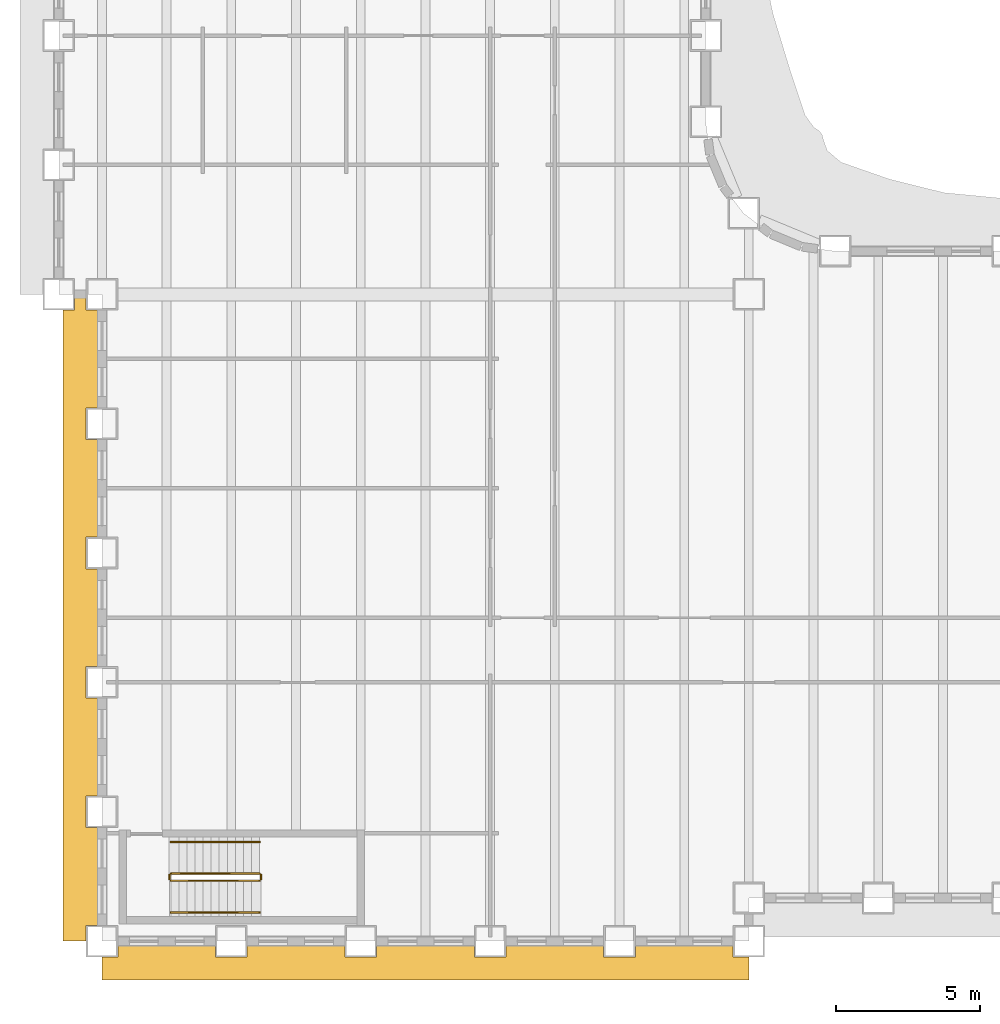
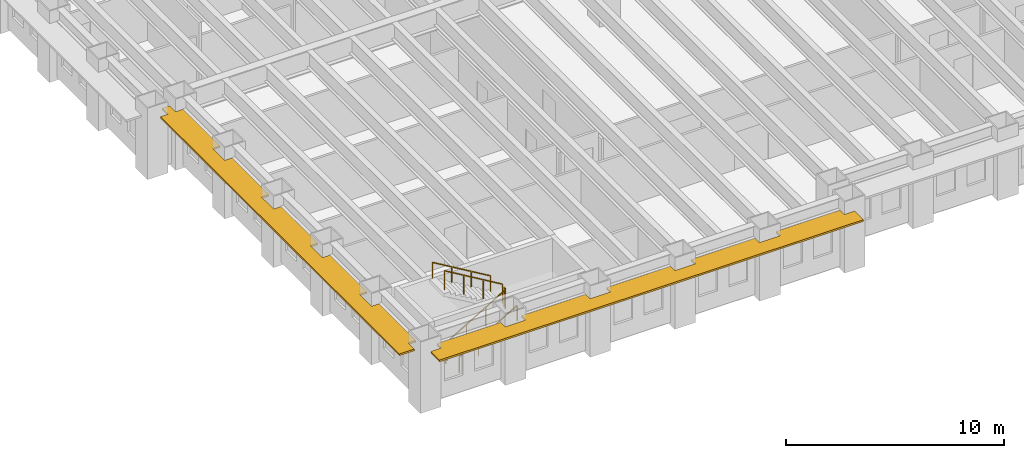
# One storey, part 10 of 15: 6 railings, 2 shading devices.
"""IFC4 building model written with IfcOpenShell, lengths in metres."""

from ifc_helpers import new_model, si_unit, direction, frame, origin, origin_2d, place, context, subcontext, project, spatial, polyline, rectangle, outline, extrude, material, layer, layer_set, type_object, element, save


model = new_model("IFC4")

# Units and contexts
model_context = context("Model", 3, precision=1e-05, world=origin(), true_north=direction((0.0, 1.0)))
body_context = subcontext(model_context, "Body", "Model", "MODEL_VIEW")
ifc_project = project(units=[si_unit("LENGTHUNIT", "METRE"), si_unit("AREAUNIT", "SQUARE_METRE"), si_unit("VOLUMEUNIT", "CUBIC_METRE"), si_unit("PLANEANGLEUNIT", "RADIAN"), si_unit("MASSUNIT", "GRAM", prefix="KILO")], contexts=[model_context])

# Site, building, storey
site_placement = place(None, origin())
site = spatial("IfcSite", under=ifc_project, at=site_placement, CompositionType="ELEMENT")
building_placement = place(site_placement, origin())
building = spatial("IfcBuilding", under=site, at=building_placement, Name="Sennacour Bend Tower", CompositionType="ELEMENT")
storey_placement = place(building_placement, frame((0.0, 0.0, 61.0)))
storey = spatial("IfcBuildingStorey", under=building, at=storey_placement, Name="L13", CompositionType="ELEMENT", Elevation=61.0)

# Railings
ifc_material_1 = material(Name="Stainless steel", Category="steel")
railing_type_1 = type_object("IfcRailingType", Name="RL-GUARD-1100", PredefinedType="GUARDRAIL", material=ifc_material_1)
railing_1_placement = place(storey_placement, frame((2.39990234375, 2.10009765625, 0.166748046875)))
element("IfcRailing", 1, at=railing_1_placement, inside=storey, type_object=railing_type_1, Name="L13 SK1 stair guard 1", PredefinedType="GUARDRAIL", context=body_context, shape_type="SweptSolid", body=[
    extrude(rectangle(XDim=0.048095703125, YDim=0.048095703125, at=origin_2d()), frame((0.0, 0.0, 1.076171875), z_axis=(0.859308565015, 0.0, 0.511457515432), x_axis=(0.0, 1.0, 0.0)), (0.0, 0.0, 1.0), 3.58447265625),
    extrude(rectangle(XDim=0.0419921875, YDim=0.0419921875, at=origin_2d()), origin(), (0.0, 0.0, 1.0), 1.052001953125),
    extrude(rectangle(XDim=0.0419921875, YDim=0.0419921875, at=origin_2d()), frame((1.026611328125, 0.0, 0.611083984375)), (0.0, 0.0, 1.0), 1.052001953125),
    extrude(rectangle(XDim=0.0419921875, YDim=0.0419921875, at=origin_2d()), frame((2.053466796875, 0.0, 1.22216796875)), (0.0, 0.0, 1.0), 1.052001953125),
    extrude(rectangle(XDim=0.0419921875, YDim=0.0419921875, at=origin_2d()), frame((3.080078125, 0.0, 1.833251953125)), (0.0, 0.0, 1.0), 1.052001953125),
])
railing_2_placement = place(storey_placement, frame((5.530029296875, 2.14990234375, 2.0)))
element("IfcRailing", 2, at=railing_2_placement, inside=storey, type_object=railing_type_1, Name="L13 SK1 stair guard 2", PredefinedType="GUARDRAIL", context=body_context, shape_type="SweptSolid", body=[
    extrude(rectangle(XDim=0.048095703125, YDim=0.048095703125, at=origin_2d()), frame((0.0, 0.0, 1.076171875), z_axis=(0.0, 1.0, 0.0), x_axis=(-1.0, 0.0, 0.0)), (0.0, 0.0, 1.0), 0.150146484375),
    extrude(rectangle(XDim=0.0419921875, YDim=0.0419921875, at=origin_2d()), origin(), (0.0, 0.0, 1.0), 1.052001953125),
    extrude(rectangle(XDim=0.0419921875, YDim=0.0419921875, at=origin_2d()), frame((0.0, 0.150146484375, 0.0)), (0.0, 0.0, 1.0), 1.052001953125),
])
railing_3_placement = place(storey_placement, frame((5.47998046875, 2.35009765625, 2.166748046875)))
element("IfcRailing", 3, at=railing_3_placement, inside=storey, type_object=railing_type_1, Name="L13 SK1 stair guard 3", PredefinedType="GUARDRAIL", context=body_context, shape_type="SweptSolid", body=[
    extrude(rectangle(XDim=0.048095703125, YDim=0.048095703125, at=origin_2d()), frame((0.0, 0.0, 1.076171875), z_axis=(-0.859308565015, 0.0, 0.511457515432), x_axis=(0.0, -1.0, 0.0)), (0.0, 0.0, 1.0), 3.58447265625),
    extrude(rectangle(XDim=0.0419921875, YDim=0.0419921875, at=origin_2d()), origin(), (0.0, 0.0, 1.0), 1.052001953125),
    extrude(rectangle(XDim=0.0419921875, YDim=0.0419921875, at=origin_2d()), frame((-1.026611328125, 0.0, 0.611083984375)), (0.0, 0.0, 1.0), 1.052001953125),
    extrude(rectangle(XDim=0.0419921875, YDim=0.0419921875, at=origin_2d()), frame((-2.053466796875, 0.0, 1.22216796875)), (0.0, 0.0, 1.0), 1.052001953125),
    extrude(rectangle(XDim=0.0419921875, YDim=0.0419921875, at=origin_2d()), frame((-3.080078125, 0.0, 1.833251953125)), (0.0, 0.0, 1.0), 1.052001953125),
])
railing_4_placement = place(storey_placement, frame((2.35009765625, 2.14990234375, 0.0)))
element("IfcRailing", 4, at=railing_4_placement, inside=storey, type_object=railing_type_1, Name="L13 SK1 stair guard 4", PredefinedType="GUARDRAIL", context=body_context, shape_type="SweptSolid", body=[
    extrude(rectangle(XDim=0.048095703125, YDim=0.048095703125, at=origin_2d()), frame((0.0, 0.0, 1.076171875), z_axis=(0.0, 1.0, 0.0), x_axis=(-1.0, 0.0, 0.0)), (0.0, 0.0, 1.0), 0.150146484375),
    extrude(rectangle(XDim=0.0419921875, YDim=0.0419921875, at=origin_2d()), origin(), (0.0, 0.0, 1.0), 1.052001953125),
    extrude(rectangle(XDim=0.0419921875, YDim=0.0419921875, at=origin_2d()), frame((0.0, 0.150146484375, 0.0)), (0.0, 0.0, 1.0), 1.052001953125),
])
railing_type_2 = type_object("IfcRailingType", Name="RL-HANDRAIL-900", PredefinedType="HANDRAIL", material=ifc_material_1)
railing_5_placement = place(storey_placement, frame((2.39990234375, 1.0, 0.166748046875)))
element("IfcRailing", 5, at=railing_5_placement, inside=storey, type_object=railing_type_2, Name="L13 SK1 stair handrail 1", PredefinedType="HANDRAIL", context=body_context, shape_type="SweptSolid", body=[
    extrude(rectangle(XDim=0.048095703125, YDim=0.048095703125, at=origin_2d()), frame((0.0, 0.0, 0.8759765625), z_axis=(0.859308565015, 0.0, 0.511457515432), x_axis=(0.0, 1.0, 0.0)), (0.0, 0.0, 1.0), 3.58447265625),
    extrude(rectangle(XDim=0.0419921875, YDim=0.0419921875, at=origin_2d()), origin(), (0.0, 0.0, 1.0), 0.851806640625),
    extrude(rectangle(XDim=0.0419921875, YDim=0.0419921875, at=origin_2d()), frame((1.026611328125, 0.0, 0.611083984375)), (0.0, 0.0, 1.0), 0.851806640625),
    extrude(rectangle(XDim=0.0419921875, YDim=0.0419921875, at=origin_2d()), frame((2.053466796875, 0.0, 1.22216796875)), (0.0, 0.0, 1.0), 0.851806640625),
    extrude(rectangle(XDim=0.0419921875, YDim=0.0419921875, at=origin_2d()), frame((3.080078125, 0.0, 1.833251953125)), (0.0, 0.0, 1.0), 0.851806640625),
])
railing_6_placement = place(storey_placement, frame((5.47998046875, 3.449951171875, 2.166748046875)))
element("IfcRailing", 6, at=railing_6_placement, inside=storey, type_object=railing_type_2, Name="L13 SK1 stair handrail 2", PredefinedType="HANDRAIL", context=body_context, shape_type="SweptSolid", body=[
    extrude(rectangle(XDim=0.048095703125, YDim=0.048095703125, at=origin_2d()), frame((0.0, 0.0, 0.8759765625), z_axis=(-0.859308565015, 0.0, 0.511457515432), x_axis=(0.0, -1.0, 0.0)), (0.0, 0.0, 1.0), 3.58447265625),
    extrude(rectangle(XDim=0.0419921875, YDim=0.0419921875, at=origin_2d()), origin(), (0.0, 0.0, 1.0), 0.851806640625),
    extrude(rectangle(XDim=0.0419921875, YDim=0.0419921875, at=origin_2d()), frame((-1.026611328125, 0.0, 0.611083984375)), (0.0, 0.0, 1.0), 0.851806640625),
    extrude(rectangle(XDim=0.0419921875, YDim=0.0419921875, at=origin_2d()), frame((-2.053466796875, 0.0, 1.22216796875)), (0.0, 0.0, 1.0), 0.851806640625),
    extrude(rectangle(XDim=0.0419921875, YDim=0.0419921875, at=origin_2d()), frame((-3.080078125, 0.0, 1.833251953125)), (0.0, 0.0, 1.0), 0.851806640625),
])

# Shading devices
ifc_material_2 = material(Name="Bronze anodised aluminium", Category="aluminium")
ifc_layer = layer(ifc_material_2, 0.10009765625, Name="Bronze anodised aluminium", Category="aluminium")
ifc_layer_set = layer_set([ifc_layer], Name="Bronze anodised aluminium")
shading_device_type = type_object("IfcShadingDeviceType", Name="SUNSHADE BAND STRAIGHT", PredefinedType="USERDEFINED", material=ifc_layer_set)
shading_device_1_placement = place(storey_placement, frame((0.0, 0.0, 3.0439453125)))
element("IfcShadingDevice", 7, at=shading_device_1_placement, inside=storey, type_object=shading_device_type, Name="Sunshade band L13 K outer face", ObjectType="SUNSHADE", PredefinedType="USERDEFINED", context=body_context, shape_type="SweptSolid", body=[
    extrude(outline(polyline([(3.949951171875, -0.14990234375), (3.949951171875, -0.550048828125), (5.050048828125, -0.550048828125), (5.050048828125, -0.14990234375), (8.449951171875, -0.14990234375), (8.449951171875, -0.550048828125), (9.550048828125, -0.550048828125), (9.550048828125, -0.14990234375), (12.949951171875, -0.14990234375), (12.949951171875, -0.550048828125), (14.050048828125, -0.550048828125), (14.050048828125, -0.14990234375), (17.449951171875, -0.14990234375), (17.449951171875, -0.550048828125), (18.550048828125, -0.550048828125), (18.550048828125, -0.14990234375), (21.949951171875, -0.14990234375), (21.949951171875, -0.550048828125), (22.5, -0.550048828125), (22.5, -1.35009765625), (0.0, -1.35009765625), (0.0, -0.550048828125), (0.550048828125, -0.550048828125), (0.550048828125, -0.14990234375), (3.949951171875, -0.14990234375)])), origin(), (0.0, 0.0, 1.0), 0.10009765625),
])
shading_device_2_placement = place(storey_placement, frame((0.0, 0.0, 3.0439453125)))
element("IfcShadingDevice", 8, at=shading_device_2_placement, inside=storey, type_object=shading_device_type, Name="Sunshade band L13 K outer face", ObjectType="SUNSHADE", PredefinedType="USERDEFINED", context=body_context, shape_type="SweptSolid", body=[
    extrude(outline(polyline([(-0.14990234375, 18.550048828125), (-0.550048828125, 18.550048828125), (-0.550048828125, 17.449951171875), (-0.14990234375, 17.449951171875), (-0.14990234375, 14.050048828125), (-0.550048828125, 14.050048828125), (-0.550048828125, 12.949951171875), (-0.14990234375, 12.949951171875), (-0.14990234375, 9.550048828125), (-0.550048828125, 9.550048828125), (-0.550048828125, 8.449951171875), (-0.14990234375, 8.449951171875), (-0.14990234375, 5.050048828125), (-0.550048828125, 5.050048828125), (-0.550048828125, 3.949951171875), (-0.14990234375, 3.949951171875), (-0.14990234375, 0.550048828125), (-0.550048828125, 0.550048828125), (-0.550048828125, 0.0), (-1.35009765625, 0.0), (-1.35009765625, 21.949951171875), (-0.949951171875, 21.949951171875), (-0.949951171875, 22.5), (-0.550048828125, 22.5), (-0.550048828125, 21.949951171875), (-0.14990234375, 21.949951171875), (-0.14990234375, 18.550048828125)])), origin(), (0.0, 0.0, 1.0), 0.10009765625),
])

save(model, "model.ifc")
